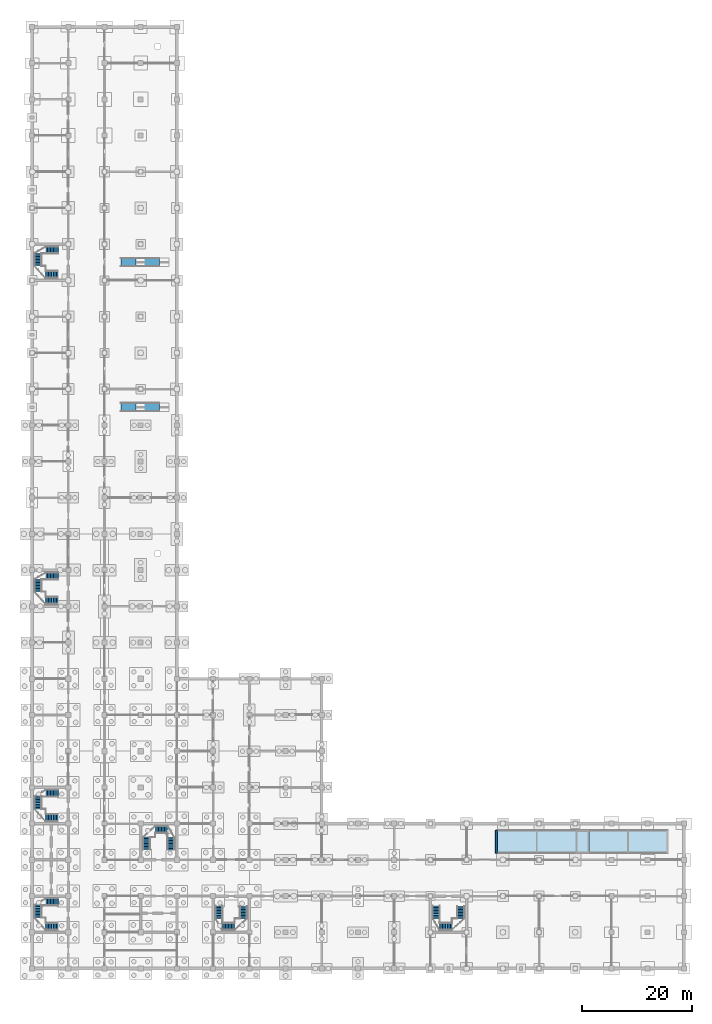
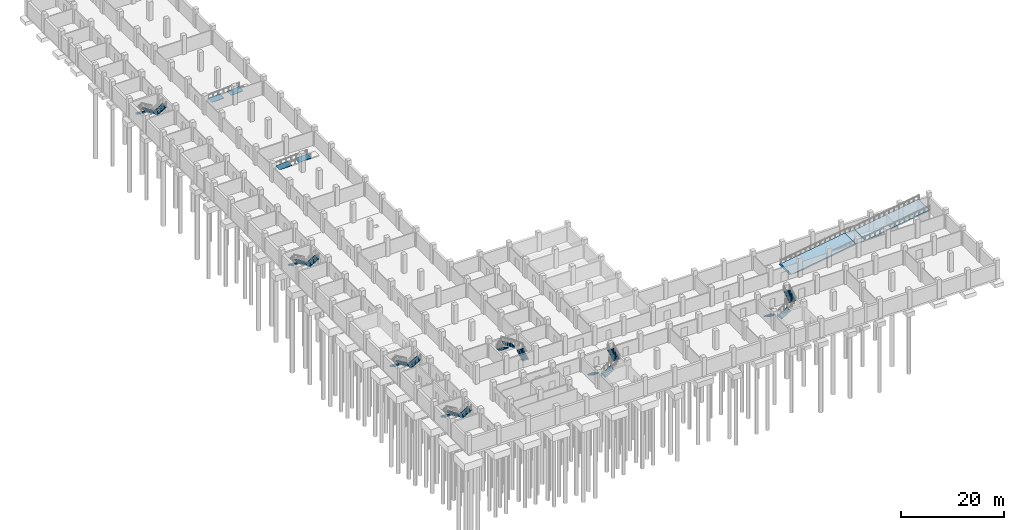
# One storey, part 15 of 18: 21 stair flights, 4 ramp flights, 3 slabs, 1 ramp, 9 elements without a shape of their own.
"""IFC4 building model written with IfcOpenShell, lengths in metres."""

import ifcopenshell
import ifcopenshell.guid

model = None  # the IFC model being written
_history = None  # IfcOwnerHistory: only IFC2X3 demands one
_inside = {}  # id of a spatial element -> (the spatial element, [elements in it])
_under = {}  # id of a project, library or spatial element -> (it, [spatial elements below it])
_declared = {}  # id of a project -> (the project, [libraries it declares])
_typed = {}  # id of a type object -> (the type object, [elements of that type])
_made_of = {}  # id of a material, layer set ... -> (it, [elements and type objects made of it])


def new_model(schema):
    """Start an empty IFC model of exactly this schema.

    Asked for "IFC4X3", IfcOpenShell would pick the latest addendum, in which some entities
    have other attributes; the version numbers below select the first issue.
    IFC2X3 requires an IfcOwnerHistory on every rooted entity: one is made here for all.
    """
    global model, _history
    if schema == "IFC4X3":
        model = ifcopenshell.file(schema_version=(4, 3, 0, 0))
    else:
        model = ifcopenshell.file(schema=schema)
    _inside.clear()
    _under.clear()
    _declared.clear()
    _typed.clear()
    _made_of.clear()
    _history = None
    if model.schema == "IFC2X3":
        org = make("IfcOrganization", Name="unknown")
        user = make(
            "IfcPersonAndOrganization",
            ThePerson=make("IfcPerson", FamilyName="unknown"),
            TheOrganization=org,
        )
        app = make(
            "IfcApplication",
            ApplicationDeveloper=org,
            Version="unknown",
            ApplicationFullName="unknown",
            ApplicationIdentifier="unknown",
        )
        _history = make(
            "IfcOwnerHistory",
            OwningUser=user,
            OwningApplication=app,
            ChangeAction="ADDED",
            CreationDate=0,
        )
    return model


def make(cls, **values):
    """One entity of the class cls with the attributes given. An attribute that is None is left unset."""
    return model.create_entity(
        cls, **{name: value for name, value in values.items() if value is not None}
    )


def rooted(cls, **values):
    """An entity with a GlobalId (a new one), such as an element, a storey or a relation."""
    return make(cls, GlobalId=ifcopenshell.guid.new(), OwnerHistory=_history, **values)


def si_unit(unit_type, name, prefix=None):
    """IfcSIUnit, for example si_unit("LENGTHUNIT", "METRE", prefix="MILLI")."""
    return make("IfcSIUnit", UnitType=unit_type, Prefix=prefix, Name=name)


def assignment(units):
    """IfcUnitAssignment: the units of a project."""
    return None if units is None else make("IfcUnitAssignment", Units=units)


def point(xyz):
    """IfcCartesianPoint."""
    return None if xyz is None else make("IfcCartesianPoint", Coordinates=xyz)


def direction(xyz):
    """IfcDirection."""
    return None if xyz is None else make("IfcDirection", DirectionRatios=xyz)


def frame(location, z_axis=None, x_axis=None):
    """IfcAxis2Placement3D, a coordinate frame: its origin and axes. An axis left out is left unset."""
    return make(
        "IfcAxis2Placement3D",
        Location=point(location),
        Axis=direction(z_axis),
        RefDirection=direction(x_axis),
    )


def frame_2d(location, x_axis=None):
    """IfcAxis2Placement2D, a coordinate frame in the plane: its origin and x axis."""
    return make(
        "IfcAxis2Placement2D", Location=point(location), RefDirection=direction(x_axis)
    )


def origin():
    """The frame at (0, 0, 0) with its axes left unset."""
    return frame((0.0, 0.0, 0.0))


def origin_2d():
    """The frame at (0, 0) in the plane with its x axis left unset."""
    return frame_2d((0.0, 0.0))


def place(relative_to, where):
    """IfcLocalPlacement: puts the frame where relative to a parent placement (None: the world)."""
    return make(
        "IfcLocalPlacement", PlacementRelTo=relative_to, RelativePlacement=where
    )


def context(
    kind, dimensions, precision=None, world=None, true_north=None, identifier=None
):
    """IfcGeometricRepresentationContext, for example the 3D "Model" context."""
    return make(
        "IfcGeometricRepresentationContext",
        ContextIdentifier=identifier,
        ContextType=kind,
        CoordinateSpaceDimension=dimensions,
        Precision=precision,
        WorldCoordinateSystem=world,
        TrueNorth=true_north,
    )


def subcontext(parent, identifier, kind, view, scale=None):
    """IfcGeometricRepresentationSubContext, for example "Body" below "Model"."""
    return make(
        "IfcGeometricRepresentationSubContext",
        ContextIdentifier=identifier,
        ContextType=kind,
        ParentContext=parent,
        TargetScale=scale,
        TargetView=view,
    )


def project(units=None, contexts=None):
    """IfcProject with its units and contexts."""
    return rooted(
        "IfcProject",
        Name="project",
        RepresentationContexts=contexts,
        UnitsInContext=assignment(units),
    )


def spatial(cls, under=None, at=None, **own):
    """A site, building, storey or space (cls), placed at a placement, below another one or the project."""
    s = rooted(cls, ObjectPlacement=at, **own)
    if under is not None:
        _under.setdefault(under.id(), (under, []))[1].append(s)
    return s


def polyline(points):
    """IfcPolyline through the points."""
    return make("IfcPolyline", Points=[point(p) for p in points])


def profile(cls, at=None, kind="AREA", **sizes):
    """A parametric profile (cls). Its sizes go by their IFC names, for example OverallWidth=200.0."""
    return make(cls, ProfileType=kind, Position=at, **sizes)


def rectangle(**sizes):
    """IfcRectangleProfileDef."""
    return profile("IfcRectangleProfileDef", **sizes)


def outline(outer, holes=None, kind="AREA"):
    """IfcArbitraryClosedProfileDef: a profile drawn as a closed curve; with holes, ...WithVoids."""
    if holes is None:
        return make("IfcArbitraryClosedProfileDef", ProfileType=kind, OuterCurve=outer)
    return make(
        "IfcArbitraryProfileDefWithVoids",
        ProfileType=kind,
        OuterCurve=outer,
        InnerCurves=holes,
    )


def extrude(swept, where, along, depth):
    """IfcExtrudedAreaSolid: the profile swept, set in the frame where, extruded along a direction by depth."""
    return make(
        "IfcExtrudedAreaSolid",
        SweptArea=swept,
        Position=where,
        ExtrudedDirection=direction(along),
        Depth=depth,
    )


def shape(context_of_items, identifier, shape_type, items):
    """IfcShapeRepresentation: the items that make up one representation, for example the "Body"."""
    return make(
        "IfcShapeRepresentation",
        ContextOfItems=context_of_items,
        RepresentationIdentifier=identifier,
        RepresentationType=shape_type,
        Items=items,
    )


def material(Name=None, Category=None):
    """IfcMaterial."""
    return make("IfcMaterial", Name=Name, Category=Category)


def layer(
    of_material, thickness, ventilated=None, Name=None, Category=None, Priority=None
):
    """IfcMaterialLayer: one layer of a wall or slab, of a material (None: an air gap)."""
    return make(
        "IfcMaterialLayer",
        Material=of_material,
        LayerThickness=thickness,
        IsVentilated=ventilated,
        Name=Name,
        Category=Category,
        Priority=Priority,
    )


def layer_set(layers, Name=None):
    """IfcMaterialLayerSet."""
    return make("IfcMaterialLayerSet", MaterialLayers=layers, LayerSetName=Name)


def made_of(thing, what):
    """Note that an element or type object is made of a material, layer set ...; save() writes the relation."""
    if what is not None:
        _made_of.setdefault(what.id(), (what, []))[1].append(thing)
    return thing


def type_object(cls, material=None, **own):
    """A type object (cls), such as IfcWallType, which elements share."""
    return made_of(rooted(cls, **own), material)


def element(
    cls,
    number,
    at=None,
    inside=None,
    cuts=None,
    type_object=None,
    material=None,
    context=None,
    identifier="Body",
    shape_type=None,
    held_by="IfcProductDefinitionShape",
    body=None,
    shapes=None,
    **own,
):
    """One element of the class cls, such as IfcWall. Its Tag is "e" and its number.

    at: its placement. inside: the storey or other place that contains it. cuts: it is an
    opening in that element (IfcRelVoidsElement). A single representation is given by context,
    identifier, shape_type and body (its items); several are given by shapes. held_by: the class
    of the entity that holds the representations. save() writes the other relations.
    """
    e = rooted(cls, Tag="e%d" % number, ObjectPlacement=at, **own)
    if body is not None:
        shapes = [shape(context, identifier, shape_type, body)]
    if shapes is not None:
        e.Representation = make(held_by, Representations=shapes)
    if inside is not None:
        _inside.setdefault(inside.id(), (inside, []))[1].append(e)
    if cuts is not None:
        rooted(
            "IfcRelVoidsElement", RelatingBuildingElement=cuts, RelatedOpeningElement=e
        )
    if type_object is not None:
        _typed.setdefault(type_object.id(), (type_object, []))[1].append(e)
    return made_of(e, material)


def aggregate(whole, parts):
    """IfcRelAggregates: a whole, such as a stair, and the parts it consists of."""
    return rooted("IfcRelAggregates", RelatingObject=whole, RelatedObjects=parts)


def save(model, path):
    """Write the relations noted so far, then the file.

    IfcRelAggregates (storeys below a building ...), IfcRelContainedInSpatialStructure (elements
    in a storey), IfcRelDefinesByType, IfcRelAssociatesMaterial and IfcRelDeclares: one each for
    every whole, place, type object, material and project.
    """
    for whole, parts in _under.values():
        aggregate(whole, parts)
    for where, things in _inside.values():
        rooted(
            "IfcRelContainedInSpatialStructure",
            RelatedElements=things,
            RelatingStructure=where,
        )
    for kind, things in _typed.values():
        rooted("IfcRelDefinesByType", RelatedObjects=things, RelatingType=kind)
    for what, things in _made_of.values():
        rooted("IfcRelAssociatesMaterial", RelatedObjects=things, RelatingMaterial=what)
    for by, libraries in _declared.values():
        rooted("IfcRelDeclares", RelatingContext=by, RelatedDefinitions=libraries)
    model.write(path)


model = new_model("IFC4")

# Units and contexts
model_context = context("Model", 3, precision=1e-05, world=origin(), true_north=direction((0.0, 1.0)))
body_context = subcontext(model_context, "Body", "Model", "MODEL_VIEW")
ifc_project = project(units=[si_unit("LENGTHUNIT", "METRE"), si_unit("AREAUNIT", "SQUARE_METRE"), si_unit("VOLUMEUNIT", "CUBIC_METRE"), si_unit("PLANEANGLEUNIT", "RADIAN"), si_unit("MASSUNIT", "GRAM", prefix="KILO")], contexts=[model_context])

# Slab
ifc_material_1 = material(Name="Concrete C40/50", Category="concrete")
ifc_layer_1 = layer(ifc_material_1, 0.18505859375)
ifc_layer_set_1 = layer_set([ifc_layer_1], Name="Concrete C40/50")
slab_type_1 = type_object("IfcSlabType", Name="SL-IRLAND", PredefinedType="LANDING", material=ifc_layer_set_1)
site_placement = place(None, origin())
building_placement = place(site_placement, origin())
storey_placement = place(building_placement, frame((0.0, 0.0, -4.5)))
slab_1_placement = place(storey_placement, frame((0.0, 0.0, 2.06494140625)))
slab_1 = element("IfcSlab", 1, at=slab_1_placement, type_object=slab_type_1, Name="VR-01 landing 1", PredefinedType="LANDING", context=body_context, shape_type="SweptSolid", body=[
    extrude(outline(polyline([(99.1201171875, 21.0), (101.47998046875, 21.0), (101.47998046875, 25.199951171875), (99.1201171875, 25.199951171875), (99.1201171875, 21.0)])), origin(), (0.0, 0.0, 1.0), 0.18505859375),
])

ifc_material_2 = material(Name="Concrete C40/50", Category="concrete")
ifc_layer_2 = layer(ifc_material_2, 0.280029296875)
ifc_layer_set_2 = layer_set([ifc_layer_2], Name="Concrete C40/50")
slab_type_2 = type_object("IfcSlabType", Name="SL-VRAMP", PredefinedType="FLOOR", material=ifc_layer_set_2)
slab_2_placement = place(storey_placement, frame((84.800048828125, 23.10009765625, 0.0), z_axis=(0.0, 0.0, 1.0), x_axis=(1.0, 0.0, 0.0)))
slab_2 = element("IfcSlab", 2, at=slab_2_placement, type_object=slab_type_2, Name="VR-01 flight 1", PredefinedType="FLOOR", context=body_context, shape_type="SweptSolid", body=[
    extrude(outline(polyline([(0.0, -0.014892578125), (0.0, 0.0), (14.39990234375, 2.25), (14.39990234375, 1.969970703125), (1.792236328125, -0.014892578125), (0.0, -0.014892578125)])), frame((0.0, 2.10009765625, 0.0), z_axis=(0.0, -1.0, 0.0), x_axis=(1.0, 0.0, 0.0)), (0.0, 0.0, 1.0), 4.199951171875),
])

slab_3_placement = place(storey_placement, frame((101.39990234375, 23.10009765625, 2.25), z_axis=(0.0, 0.0, 1.0), x_axis=(1.0, 0.0, 0.0)))
slab_3 = element("IfcSlab", 3, at=slab_3_placement, type_object=slab_type_2, Name="VR-01 flight 2", PredefinedType="FLOOR", context=body_context, shape_type="SweptSolid", body=[
    extrude(outline(polyline([(0.0, -0.014892578125), (0.0, 0.0), (14.39990234375, 2.25), (14.39990234375, 1.969970703125), (1.792236328125, -0.014892578125), (0.0, -0.014892578125)])), frame((0.0, 2.10009765625, 0.0), z_axis=(0.0, -1.0, 0.0), x_axis=(1.0, 0.0, 0.0)), (0.0, 0.0, 1.0), 4.199951171875),
])

# Site, building, storey
site = spatial("IfcSite", under=ifc_project, at=site_placement, CompositionType="ELEMENT")
building = spatial("IfcBuilding", under=site, at=building_placement, Name="Rusizi Kubbe Research Institute", CompositionType="ELEMENT")
storey = spatial("IfcBuildingStorey", under=building, at=storey_placement, Name="B01", CompositionType="ELEMENT", Elevation=-4.5)

# Stair, stair flights
ifc_material_3 = material(Name="Concrete C40/50", Category="concrete")
stair_type = type_object("IfcStairType", Name="ST-H450", PredefinedType="THREE_QUARTER_TURN_STAIR", material=ifc_material_3)
stair_1_placement = place(storey_placement, origin())
stair_1 = element("IfcStair", 4, at=stair_1_placement, inside=storey, type_object=stair_type, Name="Protected Exit Stair ST1 (B01)", PredefinedType="THREE_QUARTER_TURN_STAIR")
ifc_material_4 = material(Name="Concrete C40/50", Category="concrete")
stair_flight_type = type_object("IfcStairFlightType", Name="FL-H450", PredefinedType="STRAIGHT", material=ifc_material_4)
stair_flight_1_placement = place(storey_placement, frame((4.780029296875, 12.14990234375, 0.0), z_axis=(0.0, 0.0, 1.0), x_axis=(-1.0, 0.0, 0.0)))
stair_flight_1 = element("IfcStairFlight", 5, at=stair_flight_1_placement, type_object=stair_flight_type, Name="ST1 flight 1", NumberOfRisers=9, NumberOfTreads=8, PredefinedType="STRAIGHT", RiserHeight=0.166666667, TreadLength=0.28, context=body_context, shape_type="SweptSolid", body=[
    extrude(outline(polyline([(0.0, 0.0), (0.0, 0.166748046875), (0.280029296875, 0.166748046875), (0.280029296875, 0.333251953125), (0.56005859375, 0.333251953125), (0.56005859375, 0.5), (0.840087890625, 0.5), (0.840087890625, 0.666748046875), (1.1201171875, 0.666748046875), (1.1201171875, 0.833251953125), (1.39990234375, 0.833251953125), (1.39990234375, 1.0), (1.679931640625, 1.0), (1.679931640625, 1.166748046875), (1.9599609375, 1.166748046875), (1.9599609375, 1.333251953125), (2.239990234375, 1.333251953125), (2.239990234375, 1.5), (2.239990234375, 1.147216796875), (0.312744140625, 0.0), (0.0, 0.0)])), frame((0.0, 0.699951171875, 0.0), z_axis=(0.0, -1.0, 0.0), x_axis=(1.0, 0.0, 0.0)), (0.0, 0.0, 1.0), 1.39990234375),
])
stair_flight_2_placement = place(storey_placement, frame((1.050048828125, 11.530029296875, 1.5), z_axis=(0.0, 0.0, 1.0), x_axis=(0.0, -1.0, 0.0)))
stair_flight_2 = element("IfcStairFlight", 6, at=stair_flight_2_placement, type_object=stair_flight_type, Name="ST1 flight 2", NumberOfRisers=9, NumberOfTreads=8, PredefinedType="STRAIGHT", RiserHeight=0.166666667, TreadLength=0.28, context=body_context, shape_type="SweptSolid", body=[
    extrude(outline(polyline([(0.0, 0.0), (0.0, 0.166748046875), (0.280029296875, 0.166748046875), (0.280029296875, 0.333251953125), (0.56005859375, 0.333251953125), (0.56005859375, 0.5), (0.840087890625, 0.5), (0.840087890625, 0.666748046875), (1.1201171875, 0.666748046875), (1.1201171875, 0.833251953125), (1.39990234375, 0.833251953125), (1.39990234375, 1.0), (1.679931640625, 1.0), (1.679931640625, 1.166748046875), (1.9599609375, 1.166748046875), (1.9599609375, 1.333251953125), (2.239990234375, 1.333251953125), (2.239990234375, 1.5), (2.239990234375, 1.147216796875), (0.312744140625, 0.0), (0.0, 0.0)])), frame((0.0, 0.699951171875, 0.0), z_axis=(0.0, -1.0, 0.0), x_axis=(1.0, 0.0, 0.0)), (0.0, 0.0, 1.0), 1.39990234375),
])
stair_flight_3_placement = place(storey_placement, frame((2.466064453125, 7.64990234375, 3.0), z_axis=(0.0, 0.0, 1.0), x_axis=(1.0, 0.0, 0.0)))
stair_flight_3 = element("IfcStairFlight", 7, at=stair_flight_3_placement, type_object=stair_flight_type, Name="ST1 flight 3", NumberOfRisers=9, NumberOfTreads=8, PredefinedType="STRAIGHT", RiserHeight=0.166666667, TreadLength=0.28, context=body_context, shape_type="SweptSolid", body=[
    extrude(outline(polyline([(0.0, 0.0), (0.0, 0.166748046875), (0.280029296875, 0.166748046875), (0.280029296875, 0.333251953125), (0.56005859375, 0.333251953125), (0.56005859375, 0.5), (0.840087890625, 0.5), (0.840087890625, 0.666748046875), (1.1201171875, 0.666748046875), (1.1201171875, 0.833251953125), (1.39990234375, 0.833251953125), (1.39990234375, 1.0), (1.679931640625, 1.0), (1.679931640625, 1.166748046875), (1.9599609375, 1.166748046875), (1.9599609375, 1.333251953125), (2.239990234375, 1.333251953125), (2.239990234375, 1.5), (2.239990234375, 1.147216796875), (0.312744140625, 0.0), (0.0, 0.0)])), frame((0.0, 0.699951171875, 0.0), z_axis=(0.0, -1.0, 0.0), x_axis=(1.0, 0.0, 0.0)), (0.0, 0.0, 1.0), 1.39990234375),
])
aggregate(stair_1, [stair_flight_1, stair_flight_2, stair_flight_3])

stair_2_placement = place(storey_placement, origin())
stair_2 = element("IfcStair", 8, at=stair_2_placement, inside=storey, type_object=stair_type, Name="Protected Exit Stair ST2 (B01)", PredefinedType="THREE_QUARTER_TURN_STAIR")
stair_flight_4_placement = place(storey_placement, frame((4.780029296875, 31.949951171875, 0.0), z_axis=(0.0, 0.0, 1.0), x_axis=(-1.0, 0.0, 0.0)))
stair_flight_4 = element("IfcStairFlight", 9, at=stair_flight_4_placement, type_object=stair_flight_type, Name="ST2 flight 1", NumberOfRisers=9, NumberOfTreads=8, PredefinedType="STRAIGHT", RiserHeight=0.166666667, TreadLength=0.28, context=body_context, shape_type="SweptSolid", body=[
    extrude(outline(polyline([(0.0, 0.0), (0.0, 0.166748046875), (0.280029296875, 0.166748046875), (0.280029296875, 0.333251953125), (0.56005859375, 0.333251953125), (0.56005859375, 0.5), (0.840087890625, 0.5), (0.840087890625, 0.666748046875), (1.1201171875, 0.666748046875), (1.1201171875, 0.833251953125), (1.39990234375, 0.833251953125), (1.39990234375, 1.0), (1.679931640625, 1.0), (1.679931640625, 1.166748046875), (1.9599609375, 1.166748046875), (1.9599609375, 1.333251953125), (2.239990234375, 1.333251953125), (2.239990234375, 1.5), (2.239990234375, 1.147216796875), (0.312744140625, 0.0), (0.0, 0.0)])), frame((0.0, 0.699951171875, 0.0), z_axis=(0.0, -1.0, 0.0), x_axis=(1.0, 0.0, 0.0)), (0.0, 0.0, 1.0), 1.39990234375),
])
stair_flight_5_placement = place(storey_placement, frame((1.050048828125, 31.330078125, 1.5), z_axis=(0.0, 0.0, 1.0), x_axis=(0.0, -1.0, 0.0)))
stair_flight_5 = element("IfcStairFlight", 10, at=stair_flight_5_placement, type_object=stair_flight_type, Name="ST2 flight 2", NumberOfRisers=9, NumberOfTreads=8, PredefinedType="STRAIGHT", RiserHeight=0.166666667, TreadLength=0.28, context=body_context, shape_type="SweptSolid", body=[
    extrude(outline(polyline([(0.0, 0.0), (0.0, 0.166748046875), (0.280029296875, 0.166748046875), (0.280029296875, 0.333251953125), (0.56005859375, 0.333251953125), (0.56005859375, 0.5), (0.840087890625, 0.5), (0.840087890625, 0.666748046875), (1.1201171875, 0.666748046875), (1.1201171875, 0.833251953125), (1.39990234375, 0.833251953125), (1.39990234375, 1.0), (1.679931640625, 1.0), (1.679931640625, 1.166748046875), (1.9599609375, 1.166748046875), (1.9599609375, 1.333251953125), (2.239990234375, 1.333251953125), (2.239990234375, 1.5), (2.239990234375, 1.147216796875), (0.312744140625, 0.0), (0.0, 0.0)])), frame((0.0, 0.699951171875, 0.0), z_axis=(0.0, -1.0, 0.0), x_axis=(1.0, 0.0, 0.0)), (0.0, 0.0, 1.0), 1.39990234375),
])
stair_flight_6_placement = place(storey_placement, frame((2.466064453125, 27.449951171875, 3.0), z_axis=(0.0, 0.0, 1.0), x_axis=(1.0, 0.0, 0.0)))
stair_flight_6 = element("IfcStairFlight", 11, at=stair_flight_6_placement, type_object=stair_flight_type, Name="ST2 flight 3", NumberOfRisers=9, NumberOfTreads=8, PredefinedType="STRAIGHT", RiserHeight=0.166666667, TreadLength=0.28, context=body_context, shape_type="SweptSolid", body=[
    extrude(outline(polyline([(0.0, 0.0), (0.0, 0.166748046875), (0.280029296875, 0.166748046875), (0.280029296875, 0.333251953125), (0.56005859375, 0.333251953125), (0.56005859375, 0.5), (0.840087890625, 0.5), (0.840087890625, 0.666748046875), (1.1201171875, 0.666748046875), (1.1201171875, 0.833251953125), (1.39990234375, 0.833251953125), (1.39990234375, 1.0), (1.679931640625, 1.0), (1.679931640625, 1.166748046875), (1.9599609375, 1.166748046875), (1.9599609375, 1.333251953125), (2.239990234375, 1.333251953125), (2.239990234375, 1.5), (2.239990234375, 1.147216796875), (0.312744140625, 0.0), (0.0, 0.0)])), frame((0.0, 0.699951171875, 0.0), z_axis=(0.0, -1.0, 0.0), x_axis=(1.0, 0.0, 0.0)), (0.0, 0.0, 1.0), 1.39990234375),
])
aggregate(stair_2, [stair_flight_4, stair_flight_5, stair_flight_6])

stair_3_placement = place(storey_placement, origin())
stair_3 = element("IfcStair", 12, at=stair_3_placement, inside=storey, type_object=stair_type, Name="Protected Exit Stair ST3 (B01)", PredefinedType="THREE_QUARTER_TURN_STAIR")
stair_flight_7_placement = place(storey_placement, frame((25.35009765625, 21.6201171875, 0.0), z_axis=(0.0, 0.0, 1.0), x_axis=(0.0, 1.0, 0.0)))
stair_flight_7 = element("IfcStairFlight", 13, at=stair_flight_7_placement, type_object=stair_flight_type, Name="ST3 flight 1", NumberOfRisers=9, NumberOfTreads=8, PredefinedType="STRAIGHT", RiserHeight=0.166666667, TreadLength=0.28, context=body_context, shape_type="SweptSolid", body=[
    extrude(outline(polyline([(0.0, 0.0), (0.0, 0.166748046875), (0.280029296875, 0.166748046875), (0.280029296875, 0.333251953125), (0.56005859375, 0.333251953125), (0.56005859375, 0.5), (0.840087890625, 0.5), (0.840087890625, 0.666748046875), (1.1201171875, 0.666748046875), (1.1201171875, 0.833251953125), (1.39990234375, 0.833251953125), (1.39990234375, 1.0), (1.679931640625, 1.0), (1.679931640625, 1.166748046875), (1.9599609375, 1.166748046875), (1.9599609375, 1.333251953125), (2.239990234375, 1.333251953125), (2.239990234375, 1.5), (2.239990234375, 1.147216796875), (0.312744140625, 0.0), (0.0, 0.0)])), frame((0.0, 0.699951171875, 0.0), z_axis=(0.0, -1.0, 0.0), x_axis=(1.0, 0.0, 0.0)), (0.0, 0.0, 1.0), 1.39990234375),
])
stair_flight_8_placement = place(storey_placement, frame((24.72998046875, 25.35009765625, 1.5), z_axis=(0.0, 0.0, 1.0), x_axis=(-1.0, 0.0, 0.0)))
stair_flight_8 = element("IfcStairFlight", 14, at=stair_flight_8_placement, type_object=stair_flight_type, Name="ST3 flight 2", NumberOfRisers=9, NumberOfTreads=8, PredefinedType="STRAIGHT", RiserHeight=0.166666667, TreadLength=0.28, context=body_context, shape_type="SweptSolid", body=[
    extrude(outline(polyline([(0.0, 0.0), (0.0, 0.166748046875), (0.280029296875, 0.166748046875), (0.280029296875, 0.333251953125), (0.56005859375, 0.333251953125), (0.56005859375, 0.5), (0.840087890625, 0.5), (0.840087890625, 0.666748046875), (1.1201171875, 0.666748046875), (1.1201171875, 0.833251953125), (1.39990234375, 0.833251953125), (1.39990234375, 1.0), (1.679931640625, 1.0), (1.679931640625, 1.166748046875), (1.9599609375, 1.166748046875), (1.9599609375, 1.333251953125), (2.239990234375, 1.333251953125), (2.239990234375, 1.5), (2.239990234375, 1.147216796875), (0.312744140625, 0.0), (0.0, 0.0)])), frame((0.0, 0.699951171875, 0.0), z_axis=(0.0, -1.0, 0.0), x_axis=(1.0, 0.0, 0.0)), (0.0, 0.0, 1.0), 1.39990234375),
])
stair_flight_9_placement = place(storey_placement, frame((20.85009765625, 23.93408203125, 3.0), z_axis=(0.0, 0.0, 1.0), x_axis=(0.0, -1.0, 0.0)))
stair_flight_9 = element("IfcStairFlight", 15, at=stair_flight_9_placement, type_object=stair_flight_type, Name="ST3 flight 3", NumberOfRisers=9, NumberOfTreads=8, PredefinedType="STRAIGHT", RiserHeight=0.166666667, TreadLength=0.28, context=body_context, shape_type="SweptSolid", body=[
    extrude(outline(polyline([(0.0, 0.0), (0.0, 0.166748046875), (0.280029296875, 0.166748046875), (0.280029296875, 0.333251953125), (0.56005859375, 0.333251953125), (0.56005859375, 0.5), (0.840087890625, 0.5), (0.840087890625, 0.666748046875), (1.1201171875, 0.666748046875), (1.1201171875, 0.833251953125), (1.39990234375, 0.833251953125), (1.39990234375, 1.0), (1.679931640625, 1.0), (1.679931640625, 1.166748046875), (1.9599609375, 1.166748046875), (1.9599609375, 1.333251953125), (2.239990234375, 1.333251953125), (2.239990234375, 1.5), (2.239990234375, 1.147216796875), (0.312744140625, 0.0), (0.0, 0.0)])), frame((0.0, 0.699951171875, 0.0), z_axis=(0.0, -1.0, 0.0), x_axis=(1.0, 0.0, 0.0)), (0.0, 0.0, 1.0), 1.39990234375),
])
aggregate(stair_3, [stair_flight_7, stair_flight_8, stair_flight_9])

stair_4_placement = place(storey_placement, origin())
stair_4 = element("IfcStair", 16, at=stair_4_placement, inside=storey, type_object=stair_type, Name="Protected Exit Stair ST4 (B01)", PredefinedType="THREE_QUARTER_TURN_STAIR")
stair_flight_10_placement = place(storey_placement, frame((34.050048828125, 11.3798828125, 0.0), z_axis=(0.0, 0.0, 1.0), x_axis=(0.0, -1.0, 0.0)))
stair_flight_10 = element("IfcStairFlight", 17, at=stair_flight_10_placement, type_object=stair_flight_type, Name="ST4 flight 1", NumberOfRisers=9, NumberOfTreads=8, PredefinedType="STRAIGHT", RiserHeight=0.166666667, TreadLength=0.28, context=body_context, shape_type="SweptSolid", body=[
    extrude(outline(polyline([(0.0, 0.0), (0.0, 0.166748046875), (0.280029296875, 0.166748046875), (0.280029296875, 0.333251953125), (0.56005859375, 0.333251953125), (0.56005859375, 0.5), (0.840087890625, 0.5), (0.840087890625, 0.666748046875), (1.1201171875, 0.666748046875), (1.1201171875, 0.833251953125), (1.39990234375, 0.833251953125), (1.39990234375, 1.0), (1.679931640625, 1.0), (1.679931640625, 1.166748046875), (1.9599609375, 1.166748046875), (1.9599609375, 1.333251953125), (2.239990234375, 1.333251953125), (2.239990234375, 1.5), (2.239990234375, 1.147216796875), (0.312744140625, 0.0), (0.0, 0.0)])), frame((0.0, 0.699951171875, 0.0), z_axis=(0.0, -1.0, 0.0), x_axis=(1.0, 0.0, 0.0)), (0.0, 0.0, 1.0), 1.39990234375),
])
stair_flight_11_placement = place(storey_placement, frame((34.669921875, 7.64990234375, 1.5), z_axis=(0.0, 0.0, 1.0), x_axis=(1.0, 0.0, 0.0)))
stair_flight_11 = element("IfcStairFlight", 18, at=stair_flight_11_placement, type_object=stair_flight_type, Name="ST4 flight 2", NumberOfRisers=9, NumberOfTreads=8, PredefinedType="STRAIGHT", RiserHeight=0.166666667, TreadLength=0.28, context=body_context, shape_type="SweptSolid", body=[
    extrude(outline(polyline([(0.0, 0.0), (0.0, 0.166748046875), (0.280029296875, 0.166748046875), (0.280029296875, 0.333251953125), (0.56005859375, 0.333251953125), (0.56005859375, 0.5), (0.840087890625, 0.5), (0.840087890625, 0.666748046875), (1.1201171875, 0.666748046875), (1.1201171875, 0.833251953125), (1.39990234375, 0.833251953125), (1.39990234375, 1.0), (1.679931640625, 1.0), (1.679931640625, 1.166748046875), (1.9599609375, 1.166748046875), (1.9599609375, 1.333251953125), (2.239990234375, 1.333251953125), (2.239990234375, 1.5), (2.239990234375, 1.147216796875), (0.312744140625, 0.0), (0.0, 0.0)])), frame((0.0, 0.699951171875, 0.0), z_axis=(0.0, -1.0, 0.0), x_axis=(1.0, 0.0, 0.0)), (0.0, 0.0, 1.0), 1.39990234375),
])
stair_flight_12_placement = place(storey_placement, frame((38.550048828125, 9.06591796875, 3.0), z_axis=(0.0, 0.0, 1.0), x_axis=(0.0, 1.0, 0.0)))
stair_flight_12 = element("IfcStairFlight", 19, at=stair_flight_12_placement, type_object=stair_flight_type, Name="ST4 flight 3", NumberOfRisers=9, NumberOfTreads=8, PredefinedType="STRAIGHT", RiserHeight=0.166666667, TreadLength=0.28, context=body_context, shape_type="SweptSolid", body=[
    extrude(outline(polyline([(0.0, 0.0), (0.0, 0.166748046875), (0.280029296875, 0.166748046875), (0.280029296875, 0.333251953125), (0.56005859375, 0.333251953125), (0.56005859375, 0.5), (0.840087890625, 0.5), (0.840087890625, 0.666748046875), (1.1201171875, 0.666748046875), (1.1201171875, 0.833251953125), (1.39990234375, 0.833251953125), (1.39990234375, 1.0), (1.679931640625, 1.0), (1.679931640625, 1.166748046875), (1.9599609375, 1.166748046875), (1.9599609375, 1.333251953125), (2.239990234375, 1.333251953125), (2.239990234375, 1.5), (2.239990234375, 1.147216796875), (0.312744140625, 0.0), (0.0, 0.0)])), frame((0.0, 0.699951171875, 0.0), z_axis=(0.0, -1.0, 0.0), x_axis=(1.0, 0.0, 0.0)), (0.0, 0.0, 1.0), 1.39990234375),
])
aggregate(stair_4, [stair_flight_10, stair_flight_11, stair_flight_12])

stair_5_placement = place(storey_placement, origin())
stair_5 = element("IfcStair", 20, at=stair_5_placement, inside=storey, type_object=stair_type, Name="Protected Exit Stair ST5 (B01)", PredefinedType="THREE_QUARTER_TURN_STAIR")
stair_flight_13_placement = place(storey_placement, frame((4.780029296875, 71.550048828125, 0.0), z_axis=(0.0, 0.0, 1.0), x_axis=(-1.0, 0.0, 0.0)))
stair_flight_13 = element("IfcStairFlight", 21, at=stair_flight_13_placement, type_object=stair_flight_type, Name="ST5 flight 1", NumberOfRisers=9, NumberOfTreads=8, PredefinedType="STRAIGHT", RiserHeight=0.166666667, TreadLength=0.28, context=body_context, shape_type="SweptSolid", body=[
    extrude(outline(polyline([(0.0, 0.0), (0.0, 0.166748046875), (0.280029296875, 0.166748046875), (0.280029296875, 0.333251953125), (0.56005859375, 0.333251953125), (0.56005859375, 0.5), (0.840087890625, 0.5), (0.840087890625, 0.666748046875), (1.1201171875, 0.666748046875), (1.1201171875, 0.833251953125), (1.39990234375, 0.833251953125), (1.39990234375, 1.0), (1.679931640625, 1.0), (1.679931640625, 1.166748046875), (1.9599609375, 1.166748046875), (1.9599609375, 1.333251953125), (2.239990234375, 1.333251953125), (2.239990234375, 1.5), (2.239990234375, 1.147216796875), (0.312744140625, 0.0), (0.0, 0.0)])), frame((0.0, 0.699951171875, 0.0), z_axis=(0.0, -1.0, 0.0), x_axis=(1.0, 0.0, 0.0)), (0.0, 0.0, 1.0), 1.39990234375),
])
stair_flight_14_placement = place(storey_placement, frame((1.050048828125, 70.929931640625, 1.5), z_axis=(0.0, 0.0, 1.0), x_axis=(0.0, -1.0, 0.0)))
stair_flight_14 = element("IfcStairFlight", 22, at=stair_flight_14_placement, type_object=stair_flight_type, Name="ST5 flight 2", NumberOfRisers=9, NumberOfTreads=8, PredefinedType="STRAIGHT", RiserHeight=0.166666667, TreadLength=0.28, context=body_context, shape_type="SweptSolid", body=[
    extrude(outline(polyline([(0.0, 0.0), (0.0, 0.166748046875), (0.280029296875, 0.166748046875), (0.280029296875, 0.333251953125), (0.56005859375, 0.333251953125), (0.56005859375, 0.5), (0.840087890625, 0.5), (0.840087890625, 0.666748046875), (1.1201171875, 0.666748046875), (1.1201171875, 0.833251953125), (1.39990234375, 0.833251953125), (1.39990234375, 1.0), (1.679931640625, 1.0), (1.679931640625, 1.166748046875), (1.9599609375, 1.166748046875), (1.9599609375, 1.333251953125), (2.239990234375, 1.333251953125), (2.239990234375, 1.5), (2.239990234375, 1.147216796875), (0.312744140625, 0.0), (0.0, 0.0)])), frame((0.0, 0.699951171875, 0.0), z_axis=(0.0, -1.0, 0.0), x_axis=(1.0, 0.0, 0.0)), (0.0, 0.0, 1.0), 1.39990234375),
])
stair_flight_15_placement = place(storey_placement, frame((2.466064453125, 67.050048828125, 3.0), z_axis=(0.0, 0.0, 1.0), x_axis=(1.0, 0.0, 0.0)))
stair_flight_15 = element("IfcStairFlight", 23, at=stair_flight_15_placement, type_object=stair_flight_type, Name="ST5 flight 3", NumberOfRisers=9, NumberOfTreads=8, PredefinedType="STRAIGHT", RiserHeight=0.166666667, TreadLength=0.28, context=body_context, shape_type="SweptSolid", body=[
    extrude(outline(polyline([(0.0, 0.0), (0.0, 0.166748046875), (0.280029296875, 0.166748046875), (0.280029296875, 0.333251953125), (0.56005859375, 0.333251953125), (0.56005859375, 0.5), (0.840087890625, 0.5), (0.840087890625, 0.666748046875), (1.1201171875, 0.666748046875), (1.1201171875, 0.833251953125), (1.39990234375, 0.833251953125), (1.39990234375, 1.0), (1.679931640625, 1.0), (1.679931640625, 1.166748046875), (1.9599609375, 1.166748046875), (1.9599609375, 1.333251953125), (2.239990234375, 1.333251953125), (2.239990234375, 1.5), (2.239990234375, 1.147216796875), (0.312744140625, 0.0), (0.0, 0.0)])), frame((0.0, 0.699951171875, 0.0), z_axis=(0.0, -1.0, 0.0), x_axis=(1.0, 0.0, 0.0)), (0.0, 0.0, 1.0), 1.39990234375),
])
aggregate(stair_5, [stair_flight_13, stair_flight_14, stair_flight_15])

stair_6_placement = place(storey_placement, origin())
stair_6 = element("IfcStair", 24, at=stair_6_placement, inside=storey, type_object=stair_type, Name="Protected Exit Stair ST6 (B01)", PredefinedType="THREE_QUARTER_TURN_STAIR")
stair_flight_16_placement = place(storey_placement, frame((4.780029296875, 130.949951171875, 0.0), z_axis=(0.0, 0.0, 1.0), x_axis=(-1.0, 0.0, 0.0)))
stair_flight_16 = element("IfcStairFlight", 25, at=stair_flight_16_placement, type_object=stair_flight_type, Name="ST6 flight 1", NumberOfRisers=9, NumberOfTreads=8, PredefinedType="STRAIGHT", RiserHeight=0.166666667, TreadLength=0.28, context=body_context, shape_type="SweptSolid", body=[
    extrude(outline(polyline([(0.0, 0.0), (0.0, 0.166748046875), (0.280029296875, 0.166748046875), (0.280029296875, 0.333251953125), (0.56005859375, 0.333251953125), (0.56005859375, 0.5), (0.840087890625, 0.5), (0.840087890625, 0.666748046875), (1.1201171875, 0.666748046875), (1.1201171875, 0.833251953125), (1.39990234375, 0.833251953125), (1.39990234375, 1.0), (1.679931640625, 1.0), (1.679931640625, 1.166748046875), (1.9599609375, 1.166748046875), (1.9599609375, 1.333251953125), (2.239990234375, 1.333251953125), (2.239990234375, 1.5), (2.239990234375, 1.147216796875), (0.312744140625, 0.0), (0.0, 0.0)])), frame((0.0, 0.699951171875, 0.0), z_axis=(0.0, -1.0, 0.0), x_axis=(1.0, 0.0, 0.0)), (0.0, 0.0, 1.0), 1.39990234375),
])
stair_flight_17_placement = place(storey_placement, frame((1.050048828125, 130.330078125, 1.5), z_axis=(0.0, 0.0, 1.0), x_axis=(0.0, -1.0, 0.0)))
stair_flight_17 = element("IfcStairFlight", 26, at=stair_flight_17_placement, type_object=stair_flight_type, Name="ST6 flight 2", NumberOfRisers=9, NumberOfTreads=8, PredefinedType="STRAIGHT", RiserHeight=0.166666667, TreadLength=0.28, context=body_context, shape_type="SweptSolid", body=[
    extrude(outline(polyline([(0.0, 0.0), (0.0, 0.166748046875), (0.280029296875, 0.166748046875), (0.280029296875, 0.333251953125), (0.56005859375, 0.333251953125), (0.56005859375, 0.5), (0.840087890625, 0.5), (0.840087890625, 0.666748046875), (1.1201171875, 0.666748046875), (1.1201171875, 0.833251953125), (1.39990234375, 0.833251953125), (1.39990234375, 1.0), (1.679931640625, 1.0), (1.679931640625, 1.166748046875), (1.9599609375, 1.166748046875), (1.9599609375, 1.333251953125), (2.239990234375, 1.333251953125), (2.239990234375, 1.5), (2.239990234375, 1.147216796875), (0.312744140625, 0.0), (0.0, 0.0)])), frame((0.0, 0.699951171875, 0.0), z_axis=(0.0, -1.0, 0.0), x_axis=(1.0, 0.0, 0.0)), (0.0, 0.0, 1.0), 1.39990234375),
])
stair_flight_18_placement = place(storey_placement, frame((2.466064453125, 126.449951171875, 3.0), z_axis=(0.0, 0.0, 1.0), x_axis=(1.0, 0.0, 0.0)))
stair_flight_18 = element("IfcStairFlight", 27, at=stair_flight_18_placement, type_object=stair_flight_type, Name="ST6 flight 3", NumberOfRisers=9, NumberOfTreads=8, PredefinedType="STRAIGHT", RiserHeight=0.166666667, TreadLength=0.28, context=body_context, shape_type="SweptSolid", body=[
    extrude(outline(polyline([(0.0, 0.0), (0.0, 0.166748046875), (0.280029296875, 0.166748046875), (0.280029296875, 0.333251953125), (0.56005859375, 0.333251953125), (0.56005859375, 0.5), (0.840087890625, 0.5), (0.840087890625, 0.666748046875), (1.1201171875, 0.666748046875), (1.1201171875, 0.833251953125), (1.39990234375, 0.833251953125), (1.39990234375, 1.0), (1.679931640625, 1.0), (1.679931640625, 1.166748046875), (1.9599609375, 1.166748046875), (1.9599609375, 1.333251953125), (2.239990234375, 1.333251953125), (2.239990234375, 1.5), (2.239990234375, 1.147216796875), (0.312744140625, 0.0), (0.0, 0.0)])), frame((0.0, 0.699951171875, 0.0), z_axis=(0.0, -1.0, 0.0), x_axis=(1.0, 0.0, 0.0)), (0.0, 0.0, 1.0), 1.39990234375),
])
aggregate(stair_6, [stair_flight_16, stair_flight_17, stair_flight_18])

stair_7_placement = place(storey_placement, origin())
stair_7 = element("IfcStair", 28, at=stair_7_placement, inside=storey, type_object=stair_type, Name="Protected Exit Stair ST7 (B01)", PredefinedType="THREE_QUARTER_TURN_STAIR")
stair_flight_19_placement = place(storey_placement, frame((73.64990234375, 11.3798828125, 0.0), z_axis=(0.0, 0.0, 1.0), x_axis=(0.0, -1.0, 0.0)))
stair_flight_19 = element("IfcStairFlight", 29, at=stair_flight_19_placement, type_object=stair_flight_type, Name="ST7 flight 1", NumberOfRisers=9, NumberOfTreads=8, PredefinedType="STRAIGHT", RiserHeight=0.166666667, TreadLength=0.28, context=body_context, shape_type="SweptSolid", body=[
    extrude(outline(polyline([(0.0, 0.0), (0.0, 0.166748046875), (0.280029296875, 0.166748046875), (0.280029296875, 0.333251953125), (0.56005859375, 0.333251953125), (0.56005859375, 0.5), (0.840087890625, 0.5), (0.840087890625, 0.666748046875), (1.1201171875, 0.666748046875), (1.1201171875, 0.833251953125), (1.39990234375, 0.833251953125), (1.39990234375, 1.0), (1.679931640625, 1.0), (1.679931640625, 1.166748046875), (1.9599609375, 1.166748046875), (1.9599609375, 1.333251953125), (2.239990234375, 1.333251953125), (2.239990234375, 1.5), (2.239990234375, 1.147216796875), (0.312744140625, 0.0), (0.0, 0.0)])), frame((0.0, 0.699951171875, 0.0), z_axis=(0.0, -1.0, 0.0), x_axis=(1.0, 0.0, 0.0)), (0.0, 0.0, 1.0), 1.39990234375),
])
stair_flight_20_placement = place(storey_placement, frame((74.27001953125, 7.64990234375, 1.5), z_axis=(0.0, 0.0, 1.0), x_axis=(1.0, 0.0, 0.0)))
stair_flight_20 = element("IfcStairFlight", 30, at=stair_flight_20_placement, type_object=stair_flight_type, Name="ST7 flight 2", NumberOfRisers=9, NumberOfTreads=8, PredefinedType="STRAIGHT", RiserHeight=0.166666667, TreadLength=0.28, context=body_context, shape_type="SweptSolid", body=[
    extrude(outline(polyline([(0.0, 0.0), (0.0, 0.166748046875), (0.280029296875, 0.166748046875), (0.280029296875, 0.333251953125), (0.56005859375, 0.333251953125), (0.56005859375, 0.5), (0.840087890625, 0.5), (0.840087890625, 0.666748046875), (1.1201171875, 0.666748046875), (1.1201171875, 0.833251953125), (1.39990234375, 0.833251953125), (1.39990234375, 1.0), (1.679931640625, 1.0), (1.679931640625, 1.166748046875), (1.9599609375, 1.166748046875), (1.9599609375, 1.333251953125), (2.239990234375, 1.333251953125), (2.239990234375, 1.5), (2.239990234375, 1.147216796875), (0.312744140625, 0.0), (0.0, 0.0)])), frame((0.0, 0.699951171875, 0.0), z_axis=(0.0, -1.0, 0.0), x_axis=(1.0, 0.0, 0.0)), (0.0, 0.0, 1.0), 1.39990234375),
])
stair_flight_21_placement = place(storey_placement, frame((78.14990234375, 9.06591796875, 3.0), z_axis=(0.0, 0.0, 1.0), x_axis=(0.0, 1.0, 0.0)))
stair_flight_21 = element("IfcStairFlight", 31, at=stair_flight_21_placement, type_object=stair_flight_type, Name="ST7 flight 3", NumberOfRisers=9, NumberOfTreads=8, PredefinedType="STRAIGHT", RiserHeight=0.166666667, TreadLength=0.28, context=body_context, shape_type="SweptSolid", body=[
    extrude(outline(polyline([(0.0, 0.0), (0.0, 0.166748046875), (0.280029296875, 0.166748046875), (0.280029296875, 0.333251953125), (0.56005859375, 0.333251953125), (0.56005859375, 0.5), (0.840087890625, 0.5), (0.840087890625, 0.666748046875), (1.1201171875, 0.666748046875), (1.1201171875, 0.833251953125), (1.39990234375, 0.833251953125), (1.39990234375, 1.0), (1.679931640625, 1.0), (1.679931640625, 1.166748046875), (1.9599609375, 1.166748046875), (1.9599609375, 1.333251953125), (2.239990234375, 1.333251953125), (2.239990234375, 1.5), (2.239990234375, 1.147216796875), (0.312744140625, 0.0), (0.0, 0.0)])), frame((0.0, 0.699951171875, 0.0), z_axis=(0.0, -1.0, 0.0), x_axis=(1.0, 0.0, 0.0)), (0.0, 0.0, 1.0), 1.39990234375),
])
aggregate(stair_7, [stair_flight_19, stair_flight_20, stair_flight_21])

# Ramp, ramp flights
ifc_material_5 = material(Name="Concrete C40/50", Category="concrete")
ramp_type_1 = type_object("IfcRampType", Name="RP-PED", PredefinedType="TWO_STRAIGHT_RUN_RAMP", material=ifc_material_5)
ramp_1_placement = place(storey_placement, origin())
ramp_1 = element("IfcRamp", 32, at=ramp_1_placement, inside=storey, type_object=ramp_type_1, Name="Accessible Ramp RAMP-B01-01", PredefinedType="TWO_STRAIGHT_RUN_RAMP")
ifc_material_6 = material(Name="Concrete C40/50", Category="concrete")
ifc_layer_3 = layer(ifc_material_6, 0.199951171875)
ifc_layer_set_3 = layer_set([ifc_layer_3], Name="Concrete C40/50")
ramp_flight_type = type_object("IfcRampFlightType", Name="RPF-PED", PredefinedType="STRAIGHT", material=ifc_layer_set_3)
ramp_flight_1_placement = place(storey_placement, frame((16.199951171875, 102.300048828125, 0.0), z_axis=(0.0, 0.0, 1.0), x_axis=(1.0, 0.0, 0.0)))
ramp_flight_1 = element("IfcRampFlight", 33, at=ramp_flight_1_placement, type_object=ramp_flight_type, Name="RP-01 flight 1", PredefinedType="STRAIGHT", context=body_context, shape_type="SweptSolid", body=[
    extrude(outline(polyline([(0.0, -0.014892578125), (0.0, 0.0), (2.699951171875, 0.2099609375), (2.699951171875, 0.010009765625), (1.215087890625, -0.014892578125), (0.0, -0.014892578125)])), frame((0.0, 0.800048828125, 0.0), z_axis=(0.0, -1.0, 0.0), x_axis=(1.0, 0.0, 0.0)), (0.0, 0.0, 1.0), 1.60009765625),
])
ramp_flight_2_placement = place(storey_placement, frame((20.5, 102.300048828125, 0.2099609375), z_axis=(0.0, 0.0, 1.0), x_axis=(1.0, 0.0, 0.0)))
ramp_flight_2 = element("IfcRampFlight", 34, at=ramp_flight_2_placement, type_object=ramp_flight_type, Name="RP-01 flight 2", PredefinedType="STRAIGHT", context=body_context, shape_type="SweptSolid", body=[
    extrude(outline(polyline([(0.0, -0.014892578125), (0.0, 0.0), (2.699951171875, 0.2099609375), (2.699951171875, 0.010009765625), (1.215087890625, -0.014892578125), (0.0, -0.014892578125)])), frame((0.0, 0.800048828125, 0.0), z_axis=(0.0, -1.0, 0.0), x_axis=(1.0, 0.0, 0.0)), (0.0, 0.0, 1.0), 1.60009765625),
])
aggregate(ramp_1, [ramp_flight_1, ramp_flight_2])

ramp_2_placement = place(storey_placement, origin())
ramp_2 = element("IfcRamp", 35, at=ramp_2_placement, inside=storey, type_object=ramp_type_1, Name="Accessible Ramp RAMP-B01-02", PredefinedType="TWO_STRAIGHT_RUN_RAMP")
ramp_flight_3_placement = place(storey_placement, frame((16.199951171875, 128.699951171875, 0.0), z_axis=(0.0, 0.0, 1.0), x_axis=(1.0, 0.0, 0.0)))
ramp_flight_3 = element("IfcRampFlight", 36, at=ramp_flight_3_placement, type_object=ramp_flight_type, Name="RP-01 flight 1", PredefinedType="STRAIGHT", context=body_context, shape_type="SweptSolid", body=[
    extrude(outline(polyline([(0.0, -0.014892578125), (0.0, 0.0), (2.699951171875, 0.2099609375), (2.699951171875, 0.010009765625), (1.215087890625, -0.014892578125), (0.0, -0.014892578125)])), frame((0.0, 0.800048828125, 0.0), z_axis=(0.0, -1.0, 0.0), x_axis=(1.0, 0.0, 0.0)), (0.0, 0.0, 1.0), 1.60009765625),
])
ramp_flight_4_placement = place(storey_placement, frame((20.5, 128.699951171875, 0.2099609375), z_axis=(0.0, 0.0, 1.0), x_axis=(1.0, 0.0, 0.0)))
ramp_flight_4 = element("IfcRampFlight", 37, at=ramp_flight_4_placement, type_object=ramp_flight_type, Name="RP-01 flight 2", PredefinedType="STRAIGHT", context=body_context, shape_type="SweptSolid", body=[
    extrude(outline(polyline([(0.0, -0.014892578125), (0.0, 0.0), (2.699951171875, 0.2099609375), (2.699951171875, 0.010009765625), (1.215087890625, -0.014892578125), (0.0, -0.014892578125)])), frame((0.0, 0.800048828125, 0.0), z_axis=(0.0, -1.0, 0.0), x_axis=(1.0, 0.0, 0.0)), (0.0, 0.0, 1.0), 1.60009765625),
])
aggregate(ramp_2, [ramp_flight_3, ramp_flight_4])

# Ramp
ifc_material_7 = material(Name="Concrete C40/50", Category="concrete")
ramp_type_2 = type_object("IfcRampType", Name="VR-CAR", PredefinedType="TWO_STRAIGHT_RUN_RAMP", material=ifc_material_7)
ramp_3_placement = place(storey_placement, frame((84.580078125, 23.10009765625, 0.0)))
ramp_3 = element("IfcRamp", 38, at=ramp_3_placement, inside=storey, type_object=ramp_type_2, Name="Basement Vehicle Access Ramp VR-01", PredefinedType="TWO_STRAIGHT_RUN_RAMP", context=body_context, shape_type="SweptSolid", body=[
    extrude(rectangle(XDim=0.360107421875, YDim=4.1201171875, at=origin_2d()), origin(), (0.0, 0.0, 1.0), 0.050048828125),
])

aggregate(ramp_3, [slab_2, slab_3, slab_1])

save(model, "model.ifc")
